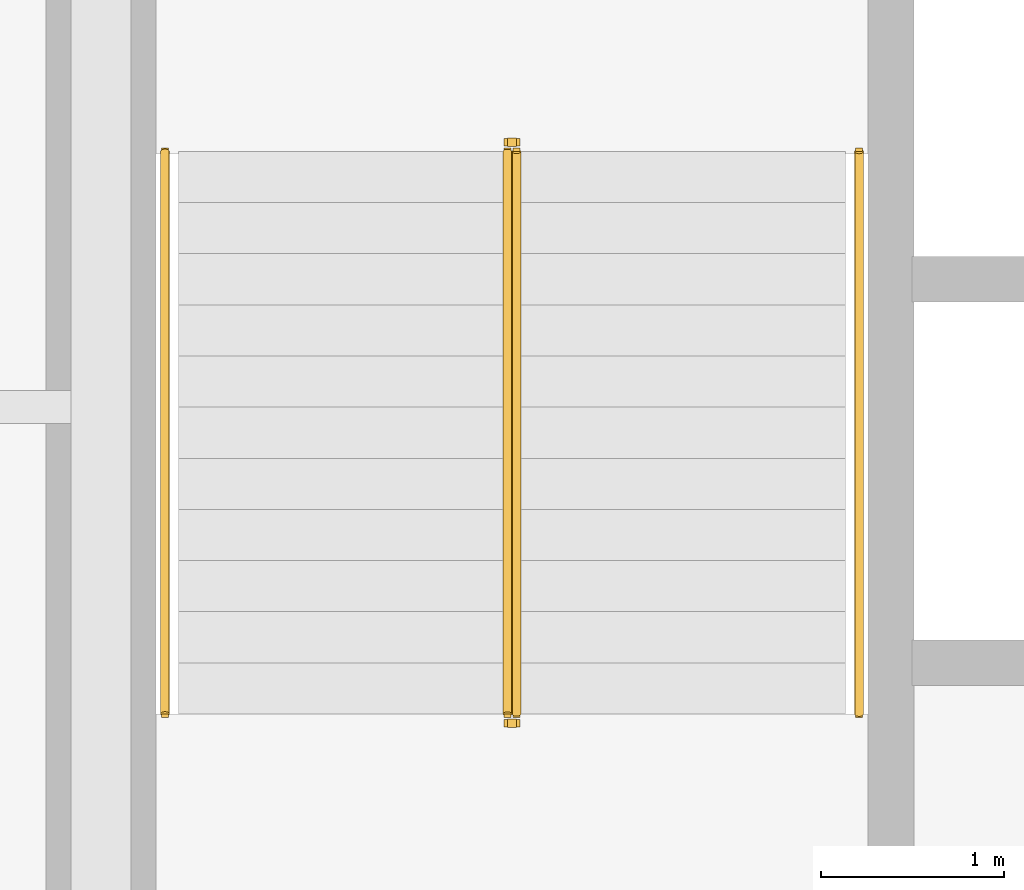
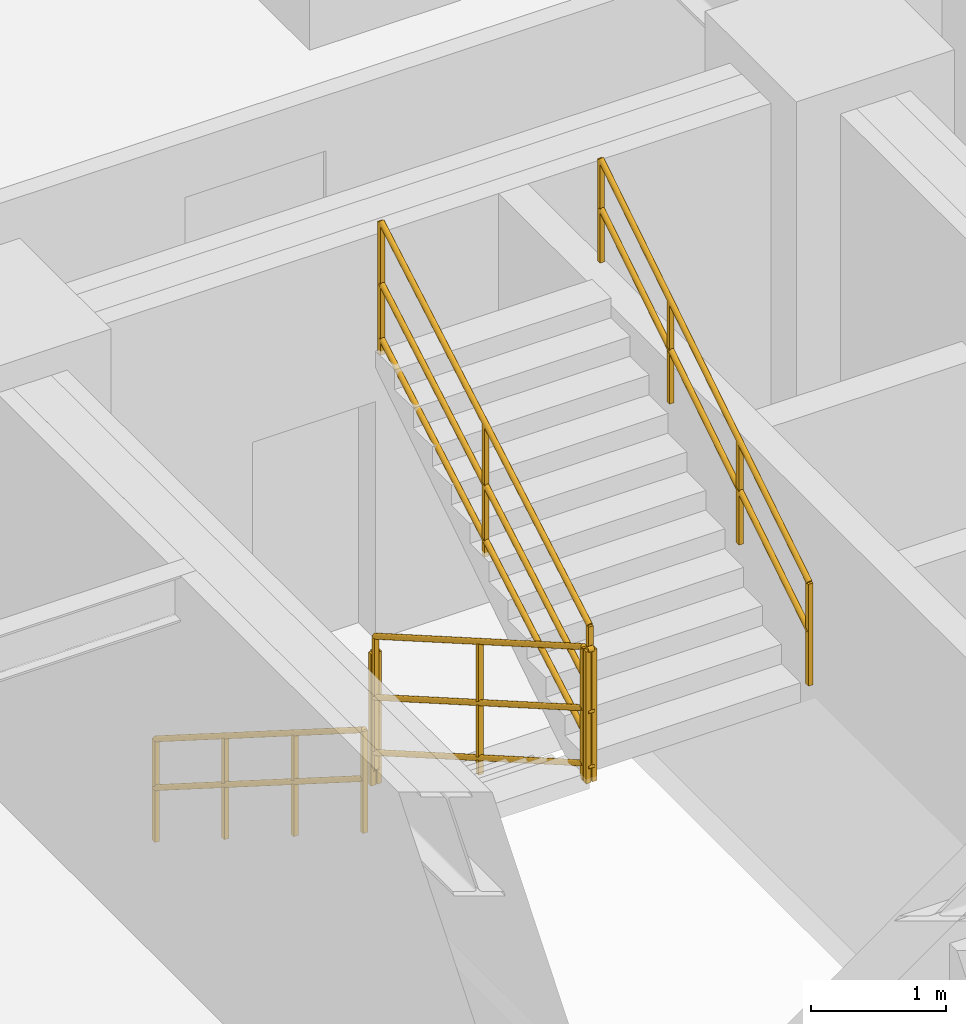
# One storey, part 9 of 9: 6 railings.
"""IFC4 building model written with IfcOpenShell, lengths in metres."""

from ifc_helpers import new_model, entity, si_unit, converted_unit, direction, frame, origin_with_axes, origin_2d_with_axis, place, context, subcontext, project, spatial, rectangle, circle, extrude, material, type_object, element, save


model = new_model("IFC4")

# Units and contexts
model_context = context("Model", 3, precision=1e-05, world=origin_with_axes(), true_north=direction((0.0, 1.0)))
body_context = subcontext(model_context, "Body", "Model", "MODEL_VIEW")
ifc_project = project(units=[si_unit("LENGTHUNIT", "METRE"), si_unit("AREAUNIT", "SQUARE_METRE"), si_unit("VOLUMEUNIT", "CUBIC_METRE"), converted_unit("PLANEANGLEUNIT", "DEGREE", entity("IfcPlaneAngleMeasure", 0.017453292519943295), si_unit("PLANEANGLEUNIT", "RADIAN"), dimensions=[0, 0, 0, 0, 0, 0, 0]), si_unit("MASSUNIT", "GRAM", prefix="KILO"), si_unit("THERMODYNAMICTEMPERATUREUNIT", "KELVIN")], contexts=[model_context])

# Site, building, storey
site_placement = place(None, origin_with_axes())
site = spatial("IfcSite", under=ifc_project, at=site_placement, CompositionType="ELEMENT")
building_placement = place(site_placement, origin_with_axes())
building = spatial("IfcBuilding", under=site, at=building_placement, Name="Varnlund Millrace Tower", CompositionType="ELEMENT")
storey_placement = place(building_placement, frame((0.0, 0.0, 63.9), z_axis=(0.0, 0.0, 1.0), x_axis=(1.0, 0.0, 0.0)))
storey = spatial("IfcBuildingStorey", under=building, at=storey_placement, Name="L15", CompositionType="ELEMENT", Elevation=63.9)

# Railings
ifc_material_1 = material(Name="Painted steel stair well balustrade guard", Category="steel")
railing_type_1 = type_object("IfcRailingType", Name="Type-StairGuard-1150", PredefinedType="GUARDRAIL", material=ifc_material_1)
railing_1_placement = place(storey_placement, frame((0.0, 0.0, -63.9), z_axis=(0.0, 0.0, 1.0), x_axis=(1.0, 0.0, 0.0)))
element("IfcRailing", 1, at=railing_1_placement, inside=storey, type_object=railing_type_1, Name="Type-StairGuard-1150", PredefinedType="GUARDRAIL", context=body_context, shape_type="SweptSolid", body=[
    extrude(circle(Radius=0.024, at=origin_2d_with_axis()), frame((13.625, 35.9, 65.227273), z_axis=(0.0, -0.866696, 0.498836), x_axis=(1.0, 0.0, 0.0)), (0.0, 0.0, 1.0), 3.553725),
    extrude(circle(Radius=0.024, at=origin_2d_with_axis()), frame((13.625, 35.9, 64.177273), z_axis=(0.0, -0.866696, 0.498836), x_axis=(1.0, 0.0, 0.0)), (0.0, 0.0, 1.0), 3.553725),
    extrude(circle(Radius=0.024, at=origin_2d_with_axis()), frame((13.625, 35.9, 64.675273), z_axis=(0.0, -0.866696, 0.498836), x_axis=(1.0, 0.0, 0.0)), (0.0, 0.0, 1.0), 3.553725),
    extrude(rectangle(XDim=0.04, YDim=0.04, at=origin_2d_with_axis()), frame((13.625, 35.9, 64.037273), z_axis=(0.0, 0.0, 1.0), x_axis=(1.0, 0.0, 0.0)), (0.0, 0.0, 1.0), 1.19),
    extrude(rectangle(XDim=0.04, YDim=0.04, at=origin_2d_with_axis()), frame((13.625, 34.36, 64.923636), z_axis=(0.0, 0.0, 1.0), x_axis=(1.0, 0.0, 0.0)), (0.0, 0.0, 1.0), 1.19),
    extrude(rectangle(XDim=0.04, YDim=0.04, at=origin_2d_with_axis()), frame((13.625, 32.82, 65.81), z_axis=(0.0, 0.0, 1.0), x_axis=(1.0, 0.0, 0.0)), (0.0, 0.0, 1.0), 1.19),
])
railing_2_placement = place(storey_placement, frame((0.0, 0.0, -63.9), z_axis=(0.0, 0.0, 1.0), x_axis=(1.0, 0.0, 0.0)))
element("IfcRailing", 2, at=railing_2_placement, inside=storey, type_object=railing_type_1, Name="Type-StairGuard-1150", PredefinedType="GUARDRAIL", context=body_context, shape_type="SweptSolid", body=[
    extrude(circle(Radius=0.024, at=origin_2d_with_axis()), frame((13.675, 32.77, 67.0), z_axis=(-1.0, 0.0, 0.0), x_axis=(0.0, -1.0, 0.0)), (0.0, 0.0, 1.0), 0.05),
    extrude(circle(Radius=0.024, at=origin_2d_with_axis()), frame((13.675, 32.77, 65.95), z_axis=(-1.0, 0.0, 0.0), x_axis=(0.0, -1.0, 0.0)), (0.0, 0.0, 1.0), 0.05),
    extrude(circle(Radius=0.024, at=origin_2d_with_axis()), frame((13.675, 32.77, 66.448), z_axis=(-1.0, 0.0, 0.0), x_axis=(0.0, -1.0, 0.0)), (0.0, 0.0, 1.0), 0.05),
    extrude(rectangle(XDim=0.04, YDim=0.04, at=origin_2d_with_axis()), frame((13.675, 32.77, 65.81), z_axis=(0.0, 0.0, 1.0), x_axis=(1.0, 0.0, 0.0)), (0.0, 0.0, 1.0), 1.19),
    extrude(rectangle(XDim=0.04, YDim=0.04, at=origin_2d_with_axis()), frame((13.625, 32.77, 65.81), z_axis=(0.0, 0.0, 1.0), x_axis=(1.0, 0.0, 0.0)), (0.0, 0.0, 1.0), 1.19),
])
railing_3_placement = place(storey_placement, frame((0.0, 0.0, -63.9), z_axis=(0.0, 0.0, 1.0), x_axis=(1.0, 0.0, 0.0)))
element("IfcRailing", 3, at=railing_3_placement, inside=storey, type_object=railing_type_1, Name="Type-StairGuard-1150", PredefinedType="GUARDRAIL", context=body_context, shape_type="SweptSolid", body=[
    extrude(circle(Radius=0.024, at=origin_2d_with_axis()), frame((13.675, 32.82, 67.177273), z_axis=(0.0, 0.866696, 0.498836), x_axis=(-1.0, 0.0, 0.0)), (0.0, 0.0, 1.0), 3.553725),
    extrude(circle(Radius=0.024, at=origin_2d_with_axis()), frame((13.675, 32.82, 66.127273), z_axis=(0.0, 0.866696, 0.498836), x_axis=(-1.0, 0.0, 0.0)), (0.0, 0.0, 1.0), 3.553725),
    extrude(circle(Radius=0.024, at=origin_2d_with_axis()), frame((13.675, 32.82, 66.625273), z_axis=(0.0, 0.866696, 0.498836), x_axis=(-1.0, 0.0, 0.0)), (0.0, 0.0, 1.0), 3.553725),
    extrude(rectangle(XDim=0.04, YDim=0.04, at=origin_2d_with_axis()), frame((13.675, 32.82, 65.987273), z_axis=(0.0, 0.0, 1.0), x_axis=(1.0, 0.0, 0.0)), (0.0, 0.0, 1.0), 1.19),
    extrude(rectangle(XDim=0.04, YDim=0.04, at=origin_2d_with_axis()), frame((13.675, 34.36, 66.873636), z_axis=(0.0, 0.0, 1.0), x_axis=(1.0, 0.0, 0.0)), (0.0, 0.0, 1.0), 1.19),
    extrude(rectangle(XDim=0.04, YDim=0.04, at=origin_2d_with_axis()), frame((13.675, 35.9, 67.76), z_axis=(0.0, 0.0, 1.0), x_axis=(1.0, 0.0, 0.0)), (0.0, 0.0, 1.0), 1.19),
])
railing_4_placement = place(storey_placement, frame((0.0, 0.0, -63.9), z_axis=(0.0, 0.0, 1.0), x_axis=(1.0, 0.0, 0.0)))
element("IfcRailing", 4, at=railing_4_placement, inside=storey, type_object=railing_type_1, Name="Type-StairGuard-1150", PredefinedType="GUARDRAIL", context=body_context, shape_type="SweptSolid", body=[
    extrude(circle(Radius=0.024, at=origin_2d_with_axis()), frame((13.675, 35.95, 65.05), z_axis=(-1.0, 0.0, 0.0), x_axis=(0.0, -1.0, 0.0)), (0.0, 0.0, 1.0), 0.05),
    extrude(circle(Radius=0.024, at=origin_2d_with_axis()), frame((13.675, 35.95, 64.0), z_axis=(-1.0, 0.0, 0.0), x_axis=(0.0, -1.0, 0.0)), (0.0, 0.0, 1.0), 0.05),
    extrude(circle(Radius=0.024, at=origin_2d_with_axis()), frame((13.675, 35.95, 64.498), z_axis=(-1.0, 0.0, 0.0), x_axis=(0.0, -1.0, 0.0)), (0.0, 0.0, 1.0), 0.05),
    extrude(rectangle(XDim=0.04, YDim=0.04, at=origin_2d_with_axis()), frame((13.675, 35.95, 63.86), z_axis=(0.0, 0.0, 1.0), x_axis=(1.0, 0.0, 0.0)), (0.0, 0.0, 1.0), 1.19),
    extrude(rectangle(XDim=0.04, YDim=0.04, at=origin_2d_with_axis()), frame((13.625, 35.95, 63.86), z_axis=(0.0, 0.0, 1.0), x_axis=(1.0, 0.0, 0.0)), (0.0, 0.0, 1.0), 1.19),
])
ifc_material_2 = material(Name="Brushed architectural bronze stair handrail", Category="aluminium")
railing_type_2 = type_object("IfcRailingType", Name="Type-StairHandrail-900", PredefinedType="HANDRAIL", material=ifc_material_2)
railing_5_placement = place(storey_placement, frame((0.0, 0.0, -63.9), z_axis=(0.0, 0.0, 1.0), x_axis=(1.0, 0.0, 0.0)))
element("IfcRailing", 5, at=railing_5_placement, inside=storey, type_object=railing_type_2, Name="Type-StairHandrail-900", PredefinedType="HANDRAIL", context=body_context, shape_type="SweptSolid", body=[
    extrude(circle(Radius=0.024, at=origin_2d_with_axis()), frame((11.75, 35.9, 64.956995), z_axis=(0.0, -0.844902, 0.534922), x_axis=(1.0, 0.0, 0.0)), (0.0, 0.0, 1.0), 3.645394),
    extrude(circle(Radius=0.024, at=origin_2d_with_axis()), frame((11.75, 35.9, 64.517134), z_axis=(0.0, -0.844902, 0.534922), x_axis=(1.0, 0.0, 0.0)), (0.0, 0.0, 1.0), 3.645394),
    extrude(rectangle(XDim=0.04, YDim=0.04, at=origin_2d_with_axis()), frame((11.75, 35.9, 64.037273), z_axis=(0.0, 0.0, 1.0), x_axis=(1.0, 0.0, 0.0)), (0.0, 0.0, 1.0), 0.919722),
    extrude(rectangle(XDim=0.04, YDim=0.04, at=origin_2d_with_axis()), frame((11.75, 34.873333, 64.687273), z_axis=(0.0, 0.0, 1.0), x_axis=(1.0, 0.0, 0.0)), (0.0, 0.0, 1.0), 0.919722),
    extrude(rectangle(XDim=0.04, YDim=0.04, at=origin_2d_with_axis()), frame((11.75, 33.846667, 65.337273), z_axis=(0.0, 0.0, 1.0), x_axis=(1.0, 0.0, 0.0)), (0.0, 0.0, 1.0), 0.919722),
    extrude(rectangle(XDim=0.04, YDim=0.04, at=origin_2d_with_axis()), frame((11.75, 32.82, 65.987273), z_axis=(0.0, 0.0, 1.0), x_axis=(1.0, 0.0, 0.0)), (0.0, 0.0, 1.0), 0.919722),
])
railing_6_placement = place(storey_placement, frame((0.0, 0.0, -63.9), z_axis=(0.0, 0.0, 1.0), x_axis=(1.0, 0.0, 0.0)))
element("IfcRailing", 6, at=railing_6_placement, inside=storey, type_object=railing_type_2, Name="Type-StairHandrail-900", PredefinedType="HANDRAIL", context=body_context, shape_type="SweptSolid", body=[
    extrude(circle(Radius=0.024, at=origin_2d_with_axis()), frame((15.55, 32.82, 66.906995), z_axis=(0.0, 0.844902, 0.534922), x_axis=(-1.0, 0.0, 0.0)), (0.0, 0.0, 1.0), 3.645394),
    extrude(circle(Radius=0.024, at=origin_2d_with_axis()), frame((15.55, 32.82, 66.467134), z_axis=(0.0, 0.844902, 0.534922), x_axis=(-1.0, 0.0, 0.0)), (0.0, 0.0, 1.0), 3.645394),
    extrude(rectangle(XDim=0.04, YDim=0.04, at=origin_2d_with_axis()), frame((15.55, 32.82, 65.987273), z_axis=(0.0, 0.0, 1.0), x_axis=(1.0, 0.0, 0.0)), (0.0, 0.0, 1.0), 0.919722),
    extrude(rectangle(XDim=0.04, YDim=0.04, at=origin_2d_with_axis()), frame((15.55, 33.846667, 66.637273), z_axis=(0.0, 0.0, 1.0), x_axis=(1.0, 0.0, 0.0)), (0.0, 0.0, 1.0), 0.919722),
    extrude(rectangle(XDim=0.04, YDim=0.04, at=origin_2d_with_axis()), frame((15.55, 34.873333, 67.287273), z_axis=(0.0, 0.0, 1.0), x_axis=(1.0, 0.0, 0.0)), (0.0, 0.0, 1.0), 0.919722),
    extrude(rectangle(XDim=0.04, YDim=0.04, at=origin_2d_with_axis()), frame((15.55, 35.9, 67.937273), z_axis=(0.0, 0.0, 1.0), x_axis=(1.0, 0.0, 0.0)), (0.0, 0.0, 1.0), 0.919722),
])

save(model, "model.ifc")
